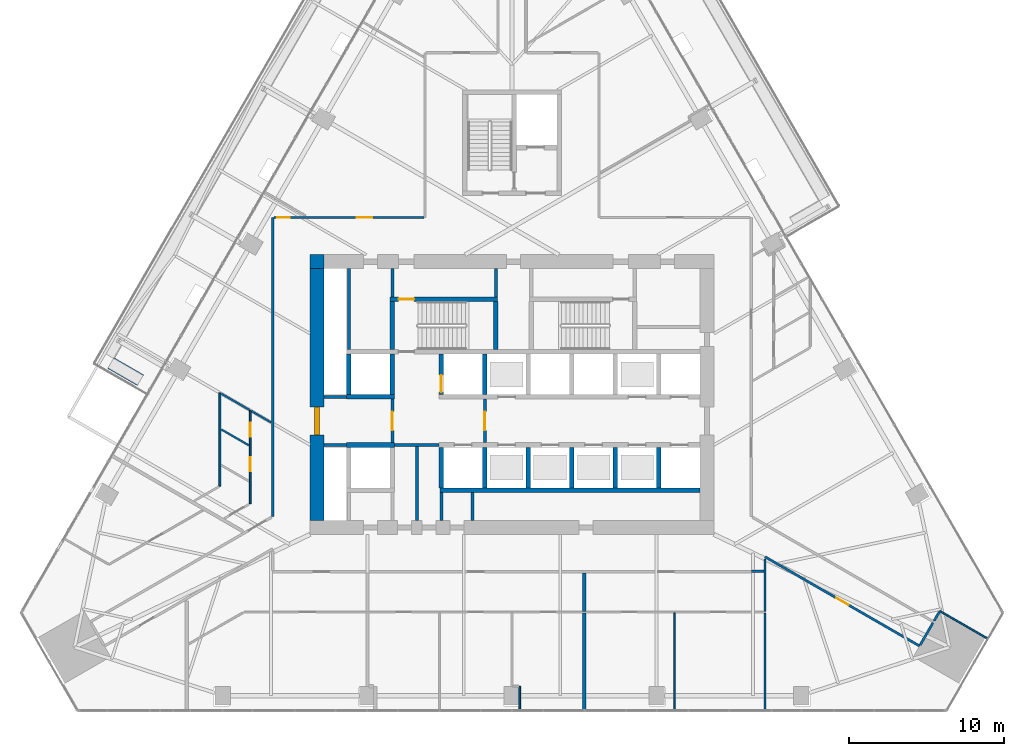
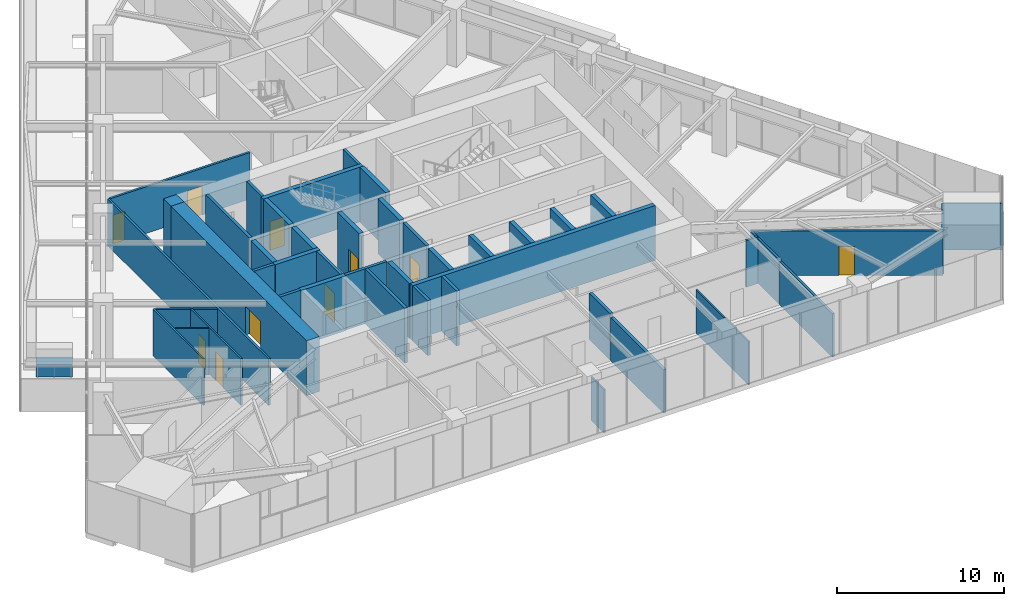
# One storey, part 19 of 26: 48 walls, 10 doors, 10 openings.
"""IFC4 building model written with IfcOpenShell, lengths in metres."""

from ifc_helpers import new_model, si_unit, direction, frame, frame_2d, origin, place, context, subcontext, project, spatial, rectangle, extrude, material, layer, layer_set, type_object, element, fill, save


model = new_model("IFC4")

# Units and contexts
model_context = context("Model", 3, precision=1e-05, world=origin(), true_north=direction((0.0, 1.0)))
body_context = subcontext(model_context, "Body", "Model", "MODEL_VIEW")
ifc_project = project(units=[si_unit("LENGTHUNIT", "METRE"), si_unit("AREAUNIT", "SQUARE_METRE"), si_unit("VOLUMEUNIT", "CUBIC_METRE"), si_unit("PLANEANGLEUNIT", "RADIAN"), si_unit("MASSUNIT", "GRAM", prefix="KILO")], contexts=[model_context])

# Site, building, storey
site_placement = place(None, origin())
site = spatial("IfcSite", under=ifc_project, at=site_placement, CompositionType="ELEMENT")
building_placement = place(site_placement, origin())
building = spatial("IfcBuilding", under=site, at=building_placement, Name="Firuza Gate Tower and Library", CompositionType="ELEMENT")
storey_placement = place(building_placement, frame((0.0, 0.0, 115.60009765625)))
storey = spatial("IfcBuildingStorey", under=building, at=storey_placement, Name="L26", CompositionType="ELEMENT", Elevation=115.60009765625)

# Walls
ifc_material_1 = material(Name="Plasterboard on steel studs", Category="steel")
ifc_layer_1 = layer(ifc_material_1, 0.199951171875)
ifc_layer_set_1 = layer_set([ifc_layer_1], Name="Core partition 200 EI 120")
wall_type_1 = type_object("IfcWallType", Name="Core partition 200 EI 120", PredefinedType="PARTITIONING", material=ifc_layer_set_1)
wall_1_placement = place(storey_placement, frame((62.89990234375, 71.75, 0.0), z_axis=(0.0, 0.0, 1.0), x_axis=(1.0, 0.0, 0.0)))
element("IfcWall", 1, at=wall_1_placement, inside=storey, type_object=wall_type_1, Name="Core partition L26 1", PredefinedType="PARTITIONING", context=body_context, shape_type="SweptSolid", body=[
    extrude(rectangle(XDim=1.4501953125, YDim=0.199951171875, at=frame_2d((0.72509765625, 0.0))), origin(), (0.0, 0.0, 1.0), 4.0),
])
wall_2_placement = place(storey_placement, frame((67.449951171875, 71.75, 0.0), z_axis=(0.0, 0.0, 1.0), x_axis=(1.0, 0.0, 0.0)))
element("IfcWall", 2, at=wall_2_placement, inside=storey, type_object=wall_type_1, Name="Core partition L26 2", PredefinedType="PARTITIONING", context=body_context, shape_type="SweptSolid", body=[
    extrude(rectangle(XDim=2.85009765625, YDim=0.199951171875, at=frame_2d((1.425048828125, 0.0))), origin(), (0.0, 0.0, 1.0), 4.0),
])
wall_3_placement = place(storey_placement, frame((62.89990234375, 74.85009765625, 0.0), z_axis=(0.0, 0.0, 1.0), x_axis=(1.0, 0.0, 0.0)))
element("IfcWall", 3, at=wall_3_placement, inside=storey, type_object=wall_type_1, Name="Core partition L26 3", PredefinedType="PARTITIONING", context=body_context, shape_type="SweptSolid", body=[
    extrude(rectangle(XDim=1.4501953125, YDim=0.199951171875, at=frame_2d((0.72509765625, 0.0))), origin(), (0.0, 0.0, 1.0), 4.0),
])
wall_4_placement = place(storey_placement, frame((64.5, 77.89990234375, 0.0), z_axis=(0.0, 0.0, 1.0), x_axis=(0.0, 1.0, 0.0)))
element("IfcWall", 4, at=wall_4_placement, inside=storey, type_object=wall_type_1, Name="Core partition L26 6", PredefinedType="PARTITIONING", context=body_context, shape_type="SweptSolid", body=[
    extrude(rectangle(XDim=5.2001953125, YDim=0.199951171875, at=frame_2d((2.60009765625, 0.0))), origin(), (0.0, 0.0, 1.0), 4.0),
])
wall_5_placement = place(storey_placement, frame((68.875, 66.89990234375, 0.0), z_axis=(0.0, 0.0, 1.0), x_axis=(0.0, 1.0, 0.0)))
element("IfcWall", 5, at=wall_5_placement, inside=storey, type_object=wall_type_1, Name="Core partition L26 10", PredefinedType="PARTITIONING", context=body_context, shape_type="SweptSolid", body=[
    extrude(rectangle(XDim=4.75, YDim=0.199951171875, at=frame_2d((2.375, 0.0))), origin(), (0.0, 0.0, 1.0), 4.0),
])
for number, where, z_axis, x_axis, name in (
    (6, (70.449951171875, 66.89990234375, 0.0), (0.0, 0.0, 1.0), (0.0, 1.0, 0.0), "Core partition L26 11"),
    (7, (72.447998046875, 66.89990234375, 0.0), (0.0, 0.0, 1.0), (0.0, 1.0, 0.0), "Core partition L26 12"),
):
    element("IfcWall", number, at=place(storey_placement, frame(where, z_axis=z_axis, x_axis=x_axis)), inside=storey, type_object=wall_type_1, Name=name, PredefinedType="PARTITIONING", context=body_context, shape_type="SweptSolid", body=[
        extrude(rectangle(XDim=1.800048828125, YDim=0.199951171875, at=frame_2d((0.89990234375, 0.0))), origin(), (0.0, 0.0, 1.0), 4.0),
    ])

# Wall, opening, door
ifc_material_2 = material(Name="Plasterboard on steel studs", Category="steel")
ifc_layer_2 = layer(ifc_material_2, 0.199951171875)
ifc_layer_set_2 = layer_set([ifc_layer_2], Name="Core partition 200 EI 60")
wall_type_2 = type_object("IfcWallType", Name="Core partition 200 EI 60", PredefinedType="PARTITIONING", material=ifc_layer_set_2)
wall_6_placement = place(storey_placement, frame((67.300048828125, 71.89990234375, 0.0), z_axis=(0.0, 0.0, 1.0), x_axis=(0.0, 1.0, 0.0)))
wall_6 = element("IfcWall", 8, at=wall_6_placement, inside=storey, type_object=wall_type_2, Name="Core partition L26 8", PredefinedType="PARTITIONING", context=body_context, shape_type="SweptSolid", body=[
    extrude(rectangle(XDim=2.800048828125, YDim=0.199951171875, at=frame_2d((1.39990234375, 0.0))), origin(), (0.0, 0.0, 1.0), 4.0),
])
opening_1_placement = place(wall_6_placement, frame((0.800048828125, 0.0, 0.0)))
opening_1 = element("IfcOpeningElement", 9, at=opening_1_placement, cuts=wall_6, Name="Opening L26-K21", PredefinedType="OPENING", context=body_context, shape_type="SweptSolid", body=[
    extrude(rectangle(XDim=1.199951171875, YDim=2.10009765625, at=frame_2d((0.60009765625, 1.050048828125))), frame((0.0, 0.10986328125, 0.0), z_axis=(0.0, -1.0, 0.0), x_axis=(1.0, 0.0, 0.0)), (0.0, 0.0, 1.0), 0.219970703125),
])
ifc_material_3 = material(Name="Steel", Category="steel")
door_type_1 = type_object("IfcDoorType", Name="Fire door 1200x2100 FD90S", OperationType="NOTDEFINED", PredefinedType="DOOR", material=ifc_material_3)
door_1_placement = place(opening_1_placement, origin())
door_1 = element("IfcDoor", 10, at=door_1_placement, inside=storey, type_object=door_type_1, Name="Door L26-K21", OperationType="SINGLE_SWING_RIGHT", OverallHeight=2.10009765625, OverallWidth=1.199951171875, PredefinedType="DOOR", context=body_context, shape_type="SweptSolid", body=[
    extrude(rectangle(XDim=1.199951171875, YDim=2.10009765625, at=frame_2d((0.60009765625, 1.050048828125))), frame((0.0, 0.02490234375, 0.0), z_axis=(0.0, -1.0, 0.0), x_axis=(1.0, 0.0, 0.0)), (0.0, 0.0, 1.0), 0.050048828125),
])
fill(opening_1, door_1)

# Wall
wall_7_placement = place(storey_placement, frame((67.300048828125, 81.280029296875, 0.0), z_axis=(0.0, 0.0, 1.0), x_axis=(0.0, 1.0, 0.0)))
element("IfcWall", 11, at=wall_7_placement, inside=storey, type_object=wall_type_2, Name="Core partition L26 9", PredefinedType="PARTITIONING", context=body_context, shape_type="SweptSolid", body=[
    extrude(rectangle(XDim=1.820068359375, YDim=0.199951171875, at=frame_2d((0.91015625, 0.0))), origin(), (0.0, 0.0, 1.0), 4.0),
])

# Wall, opening, door
wall_8_placement = place(storey_placement, frame((73.25, 71.89990234375, 0.0), z_axis=(0.0, 0.0, 1.0), x_axis=(0.0, 1.0, 0.0)))
wall_8 = element("IfcWall", 12, at=wall_8_placement, inside=storey, type_object=wall_type_2, Name="Core partition L26 13", PredefinedType="PARTITIONING", context=body_context, shape_type="SweptSolid", body=[
    extrude(rectangle(XDim=2.800048828125, YDim=0.199951171875, at=frame_2d((1.39990234375, 0.0))), origin(), (0.0, 0.0, 1.0), 4.0),
])
opening_2_placement = place(wall_8_placement, frame((0.800048828125, 0.0, 0.0)))
opening_2 = element("IfcOpeningElement", 13, at=opening_2_placement, cuts=wall_8, Name="Opening L26-K20", PredefinedType="OPENING", context=body_context, shape_type="SweptSolid", body=[
    extrude(rectangle(XDim=1.199951171875, YDim=2.10009765625, at=frame_2d((0.60009765625, 1.050048828125))), frame((0.0, 0.10986328125, 0.0), z_axis=(0.0, -1.0, 0.0), x_axis=(1.0, 0.0, 0.0)), (0.0, 0.0, 1.0), 0.219970703125),
])
door_2_placement = place(opening_2_placement, origin())
door_2 = element("IfcDoor", 14, at=door_2_placement, inside=storey, type_object=door_type_1, Name="Door L26-K20", OperationType="SINGLE_SWING_LEFT", OverallHeight=2.10009765625, OverallWidth=1.199951171875, PredefinedType="DOOR", context=body_context, shape_type="SweptSolid", body=[
    extrude(rectangle(XDim=1.199951171875, YDim=2.10009765625, at=frame_2d((0.60009765625, 1.050048828125))), frame((0.0, 0.02490234375, 0.0), z_axis=(0.0, -1.0, 0.0), x_axis=(1.0, 0.0, 0.0)), (0.0, 0.0, 1.0), 0.050048828125),
])
fill(opening_2, door_2)

# Walls
wall_9_placement = place(storey_placement, frame((73.9599609375, 81.280029296875, 0.0), z_axis=(0.0, 0.0, 1.0), x_axis=(0.0, 1.0, 0.0)))
element("IfcWall", 15, at=wall_9_placement, inside=storey, type_object=wall_type_2, Name="Core partition L26 14", PredefinedType="PARTITIONING", context=body_context, shape_type="SweptSolid", body=[
    extrude(rectangle(XDim=1.820068359375, YDim=0.199951171875, at=frame_2d((0.91015625, 0.0))), origin(), (0.0, 0.0, 1.0), 4.0),
])
ifc_material_4 = material(Name="Concrete C80/95", Category="concrete")
ifc_layer_3 = layer(ifc_material_4, 0.300048828125)
ifc_layer_set_3 = layer_set([ifc_layer_3], Name="Core wall 300 C80/95")
wall_type_3 = type_object("IfcWallType", Name="Core wall 300 C80/95", PredefinedType="SHEAR", material=ifc_layer_set_3)
wall_10_placement = place(storey_placement, frame((70.35009765625, 68.85009765625, 0.0), z_axis=(0.0, 0.0, 1.0), x_axis=(1.0, 0.0, 0.0)))
element("IfcWall", 16, at=wall_10_placement, inside=storey, type_object=wall_type_3, Name="Core wall L26 6", PredefinedType="SHEAR", context=body_context, shape_type="SweptSolid", body=[
    extrude(rectangle(XDim=16.75, YDim=0.300048828125, at=frame_2d((8.375, 0.0))), origin(), (0.0, 0.0, 1.0), 4.0),
])
for number, where, z_axis, x_axis, name in (
    (17, (64.35009765625, 71.75, 0.0), (0.0, 0.0, 1.0), (1.0, 0.0, 0.0), "Core wall L26 7"),
    (18, (64.35009765625, 74.85009765625, 0.0), (0.0, 0.0, 1.0), (1.0, 0.0, 0.0), "Core wall L26 9"),
):
    element("IfcWall", number, at=place(storey_placement, frame(where, z_axis=z_axis, x_axis=x_axis)), inside=storey, type_object=wall_type_3, Name=name, PredefinedType="SHEAR", context=body_context, shape_type="SweptSolid", body=[
        extrude(rectangle(XDim=3.099853515625, YDim=0.300048828125, at=frame_2d((1.5498046875, 0.0))), origin(), (0.0, 0.0, 1.0), 4.0),
    ])
for number, where, z_axis, x_axis, name in (
    (19, (64.5, 75.0, 0.0), (0.0, 0.0, 1.0), (0.0, 1.0, 0.0), "Core wall L26 12"),
    (20, (67.300048828125, 75.0, 0.0), (0.0, 0.0, 1.0), (0.0, 1.0, 0.0), "Core wall L26 14"),
    (21, (70.449951171875, 69.0, 0.0), (0.0, 0.0, 1.0), (0.0, 1.0, 0.0), "Core wall L26 15"),
):
    element("IfcWall", number, at=place(storey_placement, frame(where, z_axis=z_axis, x_axis=x_axis)), inside=storey, type_object=wall_type_3, Name=name, PredefinedType="SHEAR", context=body_context, shape_type="SweptSolid", body=[
        extrude(rectangle(XDim=2.60009765625, YDim=0.300048828125, at=frame_2d((1.300048828125, 0.0))), origin(), (0.0, 0.0, 1.0), 4.0),
    ])

# Wall, opening, door
wall_11_placement = place(storey_placement, frame((70.449951171875, 75.0, 0.0), z_axis=(0.0, 0.0, 1.0), x_axis=(0.0, 1.0, 0.0)))
wall_11 = element("IfcWall", 22, at=wall_11_placement, inside=storey, type_object=wall_type_3, Name="Core wall L26 16", PredefinedType="SHEAR", context=body_context, shape_type="SweptSolid", body=[
    extrude(rectangle(XDim=2.60009765625, YDim=0.300048828125, at=frame_2d((1.300048828125, 0.0))), origin(), (0.0, 0.0, 1.0), 4.0),
])
opening_3_placement = place(wall_11_placement, frame((0.14990234375, 0.0, 0.0)))
opening_3 = element("IfcOpeningElement", 23, at=opening_3_placement, cuts=wall_11, Name="Opening LD-FF2-L26", PredefinedType="OPENING", context=body_context, shape_type="SweptSolid", body=[
    extrude(rectangle(XDim=1.10009765625, YDim=2.10009765625, at=frame_2d((0.550048828125, 1.050048828125))), frame((0.0, 0.16015625, 0.0), z_axis=(0.0, -1.0, 0.0), x_axis=(1.0, 0.0, 0.0)), (0.0, 0.0, 1.0), 0.320068359375),
])
ifc_material_5 = material(Name="Stainless steel", Category="steel")
door_type_2 = type_object("IfcDoorType", Name="Lift landing door 1100x2100", OperationType="DOUBLE_DOOR_SLIDING", PredefinedType="DOOR", material=ifc_material_5)
door_3_placement = place(opening_3_placement, origin())
door_3 = element("IfcDoor", 24, at=door_3_placement, inside=storey, type_object=door_type_2, Name="Landing door FF2 L26", OperationType="DOUBLE_DOOR_SLIDING", OverallHeight=2.10009765625, OverallWidth=1.10009765625, PredefinedType="DOOR", context=body_context, shape_type="SweptSolid", body=[
    extrude(rectangle(XDim=1.10009765625, YDim=2.10009765625, at=frame_2d((0.550048828125, 1.050048828125))), frame((0.0, 0.02490234375, 0.0), z_axis=(0.0, -1.0, 0.0), x_axis=(1.0, 0.0, 0.0)), (0.0, 0.0, 1.0), 0.050048828125),
])
fill(opening_3, door_3)

# Walls
for number, where, z_axis, x_axis, name in (
    (25, (73.25, 69.0, 0.0), (0.0, 0.0, 1.0), (0.0, 1.0, 0.0), "Core wall L26 17"),
    (26, (73.25, 75.0, 0.0), (0.0, 0.0, 1.0), (0.0, 1.0, 0.0), "Core wall L26 18"),
    (27, (76.050048828125, 69.0, 0.0), (0.0, 0.0, 1.0), (0.0, 1.0, 0.0), "Core wall L26 19"),
    (28, (78.85009765625, 69.0, 0.0), (0.0, 0.0, 1.0), (0.0, 1.0, 0.0), "Core wall L26 21"),
    (29, (81.64990234375, 69.0, 0.0), (0.0, 0.0, 1.0), (0.0, 1.0, 0.0), "Core wall L26 23"),
    (30, (84.449951171875, 69.0, 0.0), (0.0, 0.0, 1.0), (0.0, 1.0, 0.0), "Core wall L26 25"),
):
    element("IfcWall", number, at=place(storey_placement, frame(where, z_axis=z_axis, x_axis=x_axis)), inside=storey, type_object=wall_type_3, Name=name, PredefinedType="SHEAR", context=body_context, shape_type="SweptSolid", body=[
        extrude(rectangle(XDim=2.60009765625, YDim=0.300048828125, at=frame_2d((1.300048828125, 0.0))), origin(), (0.0, 0.0, 1.0), 4.0),
    ])

# Wall, opening, door
wall_12_placement = place(storey_placement, frame((67.14990234375, 81.1298828125, 0.0), z_axis=(0.0, 0.0, 1.0), x_axis=(1.0, 0.0, 0.0)))
wall_12 = element("IfcWall", 31, at=wall_12_placement, inside=storey, type_object=wall_type_3, Name="Core wall L26 28", PredefinedType="SHEAR", context=body_context, shape_type="SweptSolid", body=[
    extrude(rectangle(XDim=6.91015625, YDim=0.300048828125, at=frame_2d((3.455078125, 0.0))), origin(), (0.0, 0.0, 1.0), 4.0),
])
opening_4_placement = place(wall_12_placement, frame((0.544921875, 0.0, 0.0)))
opening_4 = element("IfcOpeningElement", 32, at=opening_4_placement, cuts=wall_12, Name="Opening L26-K13", PredefinedType="OPENING", context=body_context, shape_type="SweptSolid", body=[
    extrude(rectangle(XDim=1.0, YDim=2.10009765625, at=frame_2d((0.5, 1.050048828125))), frame((0.0, 0.16015625, 0.0), z_axis=(0.0, -1.0, 0.0), x_axis=(1.0, 0.0, 0.0)), (0.0, 0.0, 1.0), 0.320068359375),
])
ifc_material_6 = material(Name="Steel", Category="steel")
door_type_3 = type_object("IfcDoorType", Name="Fire door 1000x2100 FD90", OperationType="NOTDEFINED", PredefinedType="DOOR", material=ifc_material_6)
door_4_placement = place(opening_4_placement, origin())
door_4 = element("IfcDoor", 33, at=door_4_placement, inside=storey, type_object=door_type_3, Name="Door L26-K13", OperationType="SINGLE_SWING_RIGHT", OverallHeight=2.10009765625, OverallWidth=1.0, PredefinedType="DOOR", context=body_context, shape_type="SweptSolid", body=[
    extrude(rectangle(XDim=1.0, YDim=2.10009765625, at=frame_2d((0.5, 1.050048828125))), frame((0.0, 0.02490234375, 0.0), z_axis=(0.0, -1.0, 0.0), x_axis=(1.0, 0.0, 0.0)), (0.0, 0.0, 1.0), 0.050048828125),
])
fill(opening_4, door_4)

# Walls
for number, where, z_axis, x_axis, name in (
    (34, (67.300048828125, 77.89990234375, 0.0), (0.0, 0.0, 1.0), (0.0, 1.0, 0.0), "Core wall L26 30"),
    (35, (73.9599609375, 77.89990234375, 0.0), (0.0, 0.0, 1.0), (0.0, 1.0, 0.0), "Core wall L26 31"),
):
    element("IfcWall", number, at=place(storey_placement, frame(where, z_axis=z_axis, x_axis=x_axis)), inside=storey, type_object=wall_type_3, Name=name, PredefinedType="SHEAR", context=body_context, shape_type="SweptSolid", body=[
        extrude(rectangle(XDim=3.080078125, YDim=0.300048828125, at=frame_2d((1.5400390625, 0.0))), origin(), (0.0, 0.0, 1.0), 4.0),
    ])

# Wall, opening, door
ifc_material_7 = material(Name="Concrete C80/95", Category="concrete")
ifc_layer_4 = layer(ifc_material_7, 0.89990234375)
ifc_layer_set_4 = layer_set([ifc_layer_4], Name="Core wall 900 C80/95")
wall_type_4 = type_object("IfcWallType", Name="Core wall 900 C80/95", PredefinedType="SHEAR", material=ifc_layer_set_4)
wall_13_placement = place(storey_placement, frame((62.449951171875, 66.89990234375, 0.0), z_axis=(0.0, 0.0, 1.0), x_axis=(0.0, 1.0, 0.0)))
wall_13 = element("IfcWall", 36, at=wall_13_placement, inside=storey, type_object=wall_type_4, Name="Core wall L26 3", PredefinedType="SHEAR", context=body_context, shape_type="SweptSolid", body=[
    extrude(rectangle(XDim=16.2001953125, YDim=0.89990234375, at=frame_2d((8.10009765625, 0.0))), origin(), (0.0, 0.0, 1.0), 4.0),
])
opening_5_placement = place(wall_13_placement, frame((5.5, 0.0, 0.0)))
opening_5 = element("IfcOpeningElement", 37, at=opening_5_placement, cuts=wall_13, Name="Opening L26-K22", PredefinedType="OPENING", context=body_context, shape_type="SweptSolid", body=[
    extrude(rectangle(XDim=1.800048828125, YDim=2.10009765625, at=frame_2d((0.89990234375, 1.050048828125))), frame((0.0, 0.4599609375, 0.0), z_axis=(0.0, -1.0, 0.0), x_axis=(1.0, 0.0, 0.0)), (0.0, 0.0, 1.0), 0.919921875),
])
ifc_material_8 = material(Name="Steel", Category="steel")
door_type_4 = type_object("IfcDoorType", Name="Fire door 1800x2100 FD30S", OperationType="NOTDEFINED", PredefinedType="DOOR", material=ifc_material_8)
door_5_placement = place(opening_5_placement, origin())
door_5 = element("IfcDoor", 38, at=door_5_placement, inside=storey, type_object=door_type_4, Name="Door L26-K22", OperationType="SINGLE_SWING_LEFT", OverallHeight=2.10009765625, OverallWidth=1.800048828125, PredefinedType="DOOR", context=body_context, shape_type="SweptSolid", body=[
    extrude(rectangle(XDim=1.800048828125, YDim=2.10009765625, at=frame_2d((0.89990234375, 1.050048828125))), frame((0.0, 0.169921875, 0.0), z_axis=(0.0, -1.0, 0.0), x_axis=(1.0, 0.0, 0.0)), (0.0, 0.0, 1.0), 0.33984375),
])
fill(opening_5, door_5)

# Walls
wall_14_placement = place(storey_placement, frame((62.0, 83.550048828125, 0.0), z_axis=(0.0, 0.0, 1.0), x_axis=(1.0, 0.0, 0.0)))
element("IfcWall", 39, at=wall_14_placement, inside=storey, type_object=wall_type_4, Name="Core wall L26 40", PredefinedType="SHEAR", context=body_context, shape_type="SweptSolid", body=[
    extrude(rectangle(XDim=0.89990234375, YDim=0.89990234375, at=frame_2d((0.449951171875, 0.0))), origin(), (0.0, 0.0, 1.0), 4.0),
])
ifc_material_9 = material(Name="Gypsum board partition")
ifc_layer_5 = layer(ifc_material_9, 0.14990234375)
ifc_layer_set_5 = layer_set([ifc_layer_5], Name="Corridor wall 150 double board on steel studs")
wall_type_5 = type_object("IfcWallType", Name="Corridor wall 150 double board on steel studs", PredefinedType="PARTITIONING", material=ifc_layer_set_5)
wall_15_placement = place(storey_placement, frame((90.39990234375, 63.618896484375, 0.0), z_axis=(0.0, 0.0, 1.0), x_axis=(1.0, 0.0, 0.0)))
element("IfcWall", 40, at=wall_15_placement, inside=storey, type_object=wall_type_5, Name="f:L26:w004", PredefinedType="PARTITIONING", context=body_context, shape_type="SweptSolid", body=[
    extrude(rectangle(XDim=0.808837890625, YDim=0.14990234375, at=frame_2d((0.404296875, 0.0))), origin(), (0.0, 0.0, 1.0), 3.39990234375),
])

# Wall, openings, doors
wall_16_placement = place(storey_placement, frame((59.675537109375, 86.39990234375, 0.0), z_axis=(0.0, 0.0, 1.0), x_axis=(1.0, 0.0, 0.0)))
wall_16 = element("IfcWall", 41, at=wall_16_placement, inside=storey, type_object=wall_type_5, Name="f:L26:w005", PredefinedType="PARTITIONING", context=body_context, shape_type="SweptSolid", body=[
    extrude(rectangle(XDim=9.6494140625, YDim=0.14990234375, at=frame_2d((4.82470703125, 0.0))), origin(), (0.0, 0.0, 1.0), 3.39990234375),
])
opening_6_placement = place(wall_16_placement, frame((0.222900390625, 0.0, 0.0)))
opening_6 = element("IfcOpeningElement", 42, at=opening_6_placement, cuts=wall_16, Name="Opening L26-10", PredefinedType="OPENING", context=body_context, shape_type="SweptSolid", body=[
    extrude(rectangle(XDim=0.800048828125, YDim=2.10009765625, at=frame_2d((0.39990234375, 1.050048828125))), frame((0.0, 0.0849609375, 0.0), z_axis=(0.0, -1.0, 0.0), x_axis=(1.0, 0.0, 0.0)), (0.0, 0.0, 1.0), 0.169921875),
])
opening_7_placement = place(wall_16_placement, frame((5.343017578125, 0.0, 0.0)))
opening_7 = element("IfcOpeningElement", 43, at=opening_7_placement, cuts=wall_16, Name="Opening L26-11", PredefinedType="OPENING", context=body_context, shape_type="SweptSolid", body=[
    extrude(rectangle(XDim=1.0, YDim=2.10009765625, at=frame_2d((0.5, 1.050048828125))), frame((0.0, 0.0849609375, 0.0), z_axis=(0.0, -1.0, 0.0), x_axis=(1.0, 0.0, 0.0)), (0.0, 0.0, 1.0), 0.169921875),
])
ifc_material_10 = material(Name="Timber door", Category="wood")
door_type_5 = type_object("IfcDoorType", Name="Door 800 x 2100 timber leaf", OperationType="NOTDEFINED", PredefinedType="DOOR", material=ifc_material_10)
door_6_placement = place(opening_6_placement, origin())
door_6 = element("IfcDoor", 44, at=door_6_placement, inside=storey, type_object=door_type_5, Name="f:L26:d010", OperationType="SINGLE_SWING_LEFT", OverallHeight=2.10009765625, OverallWidth=0.800048828125, PredefinedType="DOOR", context=body_context, shape_type="SweptSolid", body=[
    extrude(rectangle(XDim=0.800048828125, YDim=2.10009765625, at=frame_2d((0.39990234375, 1.050048828125))), frame((0.0, 0.02490234375, 0.0), z_axis=(0.0, -1.0, 0.0), x_axis=(1.0, 0.0, 0.0)), (0.0, 0.0, 1.0), 0.050048828125),
])
fill(opening_6, door_6)
ifc_material_11 = material(Name="Steel door and timber leaf", Category="steel")
door_type_6 = type_object("IfcDoorType", Name="Fire door 1000 x 2100 steel frame, timber leaf", OperationType="NOTDEFINED", PredefinedType="DOOR", material=ifc_material_11)
door_7_placement = place(opening_7_placement, origin())
door_7 = element("IfcDoor", 45, at=door_7_placement, inside=storey, type_object=door_type_6, Name="f:L26:d011", OperationType="SINGLE_SWING_RIGHT", OverallHeight=2.10009765625, OverallWidth=1.0, PredefinedType="DOOR", context=body_context, shape_type="SweptSolid", body=[
    extrude(rectangle(XDim=1.0, YDim=2.10009765625, at=frame_2d((0.5, 1.050048828125))), frame((0.0, 0.02490234375, 0.0), z_axis=(0.0, -1.0, 0.0), x_axis=(1.0, 0.0, 0.0)), (0.0, 0.0, 1.0), 0.050048828125),
])
fill(opening_7, door_7)

# Walls
wall_17_placement = place(storey_placement, frame((101.271728515625, 58.8798828125, 0.0), z_axis=(0.0, 0.0, 1.0), x_axis=(0.500038426333, 0.866003217194, 0.0)))
element("IfcWall", 46, at=wall_17_placement, inside=storey, type_object=wall_type_5, Name="f:L26:w025", PredefinedType="PARTITIONING", context=body_context, shape_type="SweptSolid", body=[
    extrude(rectangle(XDim=1.649658203125, YDim=0.14990234375, at=frame_2d((0.82470703125, 0.0))), origin(), (0.0, 0.0, 1.0), 3.246826171875),
])
wall_18_placement = place(storey_placement, frame((91.283935546875, 54.666259765625, 0.0), z_axis=(0.0, 0.0, 1.0), x_axis=(0.0, 1.0, 0.0)))
element("IfcWall", 47, at=wall_18_placement, inside=storey, type_object=wall_type_5, Name="f:L26:w028", PredefinedType="PARTITIONING", context=body_context, shape_type="SweptSolid", body=[
    extrude(rectangle(XDim=6.28369140625, YDim=0.14990234375, at=frame_2d((3.141845703125, 0.0))), origin(), (0.0, 0.0, 1.0), 3.164794921875),
])
wall_19_placement = place(storey_placement, frame((59.60009765625, 67.14794921875, 0.0), z_axis=(0.0, 0.0, 1.0), x_axis=(0.0, 1.0, 0.0)))
element("IfcWall", 48, at=wall_19_placement, inside=storey, type_object=wall_type_5, Name="f:L26:w043", PredefinedType="PARTITIONING", context=body_context, shape_type="SweptSolid", body=[
    extrude(rectangle(XDim=19.25146484375, YDim=0.14990234375, at=frame_2d((9.625732421875, 0.0))), origin(), (0.0, 0.0, 1.0), 3.39990234375),
])

# Wall, opening, door
wall_20_placement = place(storey_placement, frame((101.233642578125, 58.81494140625, 0.0), z_axis=(0.0, 0.0, 1.0), x_axis=(-0.866028466704, 0.49999469483, 0.0)))
wall_20 = element("IfcWall", 49, at=wall_20_placement, inside=storey, type_object=wall_type_5, Name="f:L26:w055", PredefinedType="PARTITIONING", context=body_context, shape_type="SweptSolid", body=[
    extrude(rectangle(XDim=11.48876953125, YDim=0.14990234375, at=frame_2d((5.744384765625, 0.0))), origin(), (0.0, 0.0, 1.0), 3.246826171875),
])
opening_8_placement = place(wall_20_placement, frame((5.29443359375, 0.0, 0.0)))
opening_8 = element("IfcOpeningElement", 50, at=opening_8_placement, cuts=wall_20, Name="Opening L26-27", PredefinedType="OPENING", context=body_context, shape_type="SweptSolid", body=[
    extrude(rectangle(XDim=0.89990234375, YDim=2.10009765625, at=frame_2d((0.449951171875, 1.050048828125))), frame((0.0, 0.0849609375, 0.0), z_axis=(0.0, -1.0, 0.0), x_axis=(1.0, 0.0, 0.0)), (0.0, 0.0, 1.0), 0.169921875),
])
ifc_material_12 = material(Name="Steel door and timber leaf", Category="steel")
door_type_7 = type_object("IfcDoorType", Name="Fire door 900 x 2100 steel frame, timber leaf", OperationType="NOTDEFINED", PredefinedType="DOOR", material=ifc_material_12)
door_8_placement = place(opening_8_placement, origin())
door_8 = element("IfcDoor", 51, at=door_8_placement, inside=storey, type_object=door_type_7, Name="f:L26:d027", OperationType="SINGLE_SWING_RIGHT", OverallHeight=2.10009765625, OverallWidth=0.89990234375, PredefinedType="DOOR", context=body_context, shape_type="SweptSolid", body=[
    extrude(rectangle(XDim=0.89990234375, YDim=2.10009765625, at=frame_2d((0.449951171875, 1.050048828125))), frame((0.0, 0.02490234375, 0.0), z_axis=(0.0, -1.0, 0.0), x_axis=(1.0, 0.0, 0.0)), (0.0, 0.0, 1.0), 0.050048828125),
])
fill(opening_8, door_8)

# Walls
wall_21_placement = place(storey_placement, frame((91.283935546875, 61.050048828125, 0.0), z_axis=(0.0, 0.0, 1.0), x_axis=(0.0, 1.0, 0.0)))
element("IfcWall", 52, at=wall_21_placement, inside=storey, type_object=wall_type_5, Name="f:L26:w061", PredefinedType="PARTITIONING", context=body_context, shape_type="SweptSolid", body=[
    extrude(rectangle(XDim=3.37255859375, YDim=0.14990234375, at=frame_2d((1.686279296875, 0.0))), origin(), (0.0, 0.0, 1.0), 3.246826171875),
])
wall_22_placement = place(storey_placement, frame((102.171630859375, 60.4384765625, 0.0), z_axis=(0.0, 0.0, 1.0), x_axis=(0.499994068514, 0.866028828302, 0.0)))
element("IfcWall", 53, at=wall_22_placement, inside=storey, type_object=wall_type_5, Name="f:L26:w065", PredefinedType="PARTITIONING", context=body_context, shape_type="SweptSolid", body=[
    extrude(rectangle(XDim=0.67431640625, YDim=0.14990234375, at=frame_2d((0.337158203125, 0.0))), origin(), (0.0, 0.0, 1.0), 3.39990234375),
])
ifc_material_13 = material(Name="Gypsum board partition")
ifc_layer_6 = layer(ifc_material_13, 0.199951171875)
ifc_layer_set_6 = layer_set([ifc_layer_6], Name="Demising wall 200 acoustic double stud")
wall_type_6 = type_object("IfcWallType", Name="Demising wall 200 acoustic double stud", PredefinedType="PARTITIONING", material=ifc_layer_set_6)
wall_23_placement = place(storey_placement, frame((79.653076171875, 54.666259765625, 0.0), z_axis=(0.0, 0.0, 1.0), x_axis=(0.0, 1.0, 0.0)))
element("IfcWall", 54, at=wall_23_placement, inside=storey, type_object=wall_type_6, Name="f:L26:w032", PredefinedType="PARTITIONING", context=body_context, shape_type="SweptSolid", body=[
    extrude(rectangle(XDim=6.28369140625, YDim=0.199951171875, at=frame_2d((3.141845703125, 0.0))), origin(), (0.0, 0.0, 1.0), 3.164794921875),
])
wall_24_placement = place(storey_placement, frame((79.653076171875, 61.050048828125, 0.0), z_axis=(0.0, 0.0, 1.0), x_axis=(0.0, 1.0, 0.0)))
element("IfcWall", 55, at=wall_24_placement, inside=storey, type_object=wall_type_6, Name="f:L26:w067", PredefinedType="PARTITIONING", context=body_context, shape_type="SweptSolid", body=[
    extrude(rectangle(XDim=2.474853515625, YDim=0.199951171875, at=frame_2d((1.2373046875, 0.0))), origin(), (0.0, 0.0, 1.0), 3.39990234375),
])
ifc_material_14 = material(Name="Gypsum board partition")
ifc_layer_7 = layer(ifc_material_14, 0.10009765625)
ifc_layer_set_7 = layer_set([ifc_layer_7], Name="Partition 100 gypsum board on steel studs")
wall_type_7 = type_object("IfcWallType", Name="Partition 100 gypsum board on steel studs", PredefinedType="PARTITIONING", material=ifc_layer_set_7)
wall_25_placement = place(storey_placement, frame((85.468017578125, 54.666259765625, 0.0), z_axis=(0.0, 0.0, 1.0), x_axis=(0.0, 1.0, 0.0)))
element("IfcWall", 56, at=wall_25_placement, inside=storey, type_object=wall_type_7, Name="f:L26:w030", PredefinedType="PARTITIONING", context=body_context, shape_type="SweptSolid", body=[
    extrude(rectangle(XDim=6.28369140625, YDim=0.10009765625, at=frame_2d((3.141845703125, 0.0))), origin(), (0.0, 0.0, 1.0), 3.164794921875),
])
wall_26_placement = place(storey_placement, frame((75.5, 54.666259765625, 0.0), z_axis=(0.0, 0.0, 1.0), x_axis=(0.0, 1.0, 0.0)))
element("IfcWall", 57, at=wall_26_placement, inside=storey, type_object=wall_type_7, Name="f:L26:w035", PredefinedType="PARTITIONING", context=body_context, shape_type="SweptSolid", body=[
    extrude(rectangle(XDim=1.56005859375, YDim=0.10009765625, at=frame_2d((0.780029296875, 0.0))), origin(), (0.0, 0.0, 1.0), 3.164794921875),
])
wall_27_placement = place(storey_placement, frame((105.6171875, 59.286376953125, 0.0), z_axis=(0.0, 0.0, 1.0), x_axis=(-0.866043951586, 0.49996787289, 0.0)))
element("IfcWall", 58, at=wall_27_placement, inside=storey, type_object=wall_type_7, Name="f:L26:w053", PredefinedType="PARTITIONING", context=body_context, shape_type="SweptSolid", body=[
    extrude(rectangle(XDim=3.559326171875, YDim=0.10009765625, at=frame_2d((1.77978515625, 0.0))), origin(), (0.0, 0.0, 1.0), 3.39990234375),
])
ifc_material_15 = material(Name="Concrete C40/50", Category="concrete")
ifc_layer_8 = layer(ifc_material_15, 0.800048828125)
ifc_layer_set_8 = layer_set([ifc_layer_8], Name="Planter wall 800")
wall_type_8 = type_object("IfcWallType", Name="Planter wall 800", PredefinedType="SOLIDWALL", material=ifc_layer_set_8)
wall_28_placement = place(storey_placement, frame((49.18017578125, 77.0263671875, 0.0), z_axis=(0.0, 0.0, 1.0), x_axis=(0.866008176907, -0.50002983664, 0.0)))
element("IfcWall", 59, at=wall_28_placement, inside=storey, type_object=wall_type_8, Name="PLANTER L26 5", PredefinedType="SOLIDWALL", context=body_context, shape_type="SweptSolid", body=[
    extrude(rectangle(XDim=2.199951171875, YDim=0.800048828125, at=frame_2d((1.10009765625, 0.0))), origin(), (0.0, 0.0, 1.0), 0.89990234375),
])

# Wall, openings, doors
ifc_material_16 = material(Name="Gypsum board partition")
ifc_layer_9 = layer(ifc_material_16, 0.1201171875)
ifc_layer_set_9 = layer_set([ifc_layer_9], Name="Wet-area partition 120 moisture-resistant board")
wall_type_9 = type_object("IfcWallType", Name="Wet-area partition 120 moisture-resistant board", PredefinedType="PARTITIONING", material=ifc_layer_set_9)
wall_29_placement = place(storey_placement, frame((58.14990234375, 73.98388671875, 0.0), z_axis=(0.0, 0.0, 1.0), x_axis=(0.0, -1.0, 0.0)))
wall_29 = element("IfcWall", 60, at=wall_29_placement, inside=storey, type_object=wall_type_9, Name="f:L26:w044", PredefinedType="PARTITIONING", context=body_context, shape_type="SweptSolid", body=[
    extrude(rectangle(XDim=5.998779296875, YDim=0.1201171875, at=frame_2d((2.99951171875, 0.0))), origin(), (0.0, 0.0, 1.0), 3.39990234375),
])
opening_9_placement = place(wall_29_placement, frame((0.802734375, 0.0, 0.0)))
opening_9 = element("IfcOpeningElement", 61, at=opening_9_placement, cuts=wall_29, Name="Opening L26-25", PredefinedType="OPENING", context=body_context, shape_type="SweptSolid", body=[
    extrude(rectangle(XDim=0.89990234375, YDim=2.10009765625, at=frame_2d((0.449951171875, 1.050048828125))), frame((0.0, 0.070068359375, 0.0), z_axis=(0.0, -1.0, 0.0), x_axis=(1.0, 0.0, 0.0)), (0.0, 0.0, 1.0), 0.14013671875),
])
opening_10_placement = place(wall_29_placement, frame((3.00341796875, 0.0, 0.0)))
opening_10 = element("IfcOpeningElement", 62, at=opening_10_placement, cuts=wall_29, Name="Opening L26-26", PredefinedType="OPENING", context=body_context, shape_type="SweptSolid", body=[
    extrude(rectangle(XDim=0.89990234375, YDim=2.10009765625, at=frame_2d((0.449951171875, 1.050048828125))), frame((0.0, 0.070068359375, 0.0), z_axis=(0.0, -1.0, 0.0), x_axis=(1.0, 0.0, 0.0)), (0.0, 0.0, 1.0), 0.14013671875),
])
ifc_material_17 = material(Name="Timber door", Category="wood")
door_type_8 = type_object("IfcDoorType", Name="Door 900 x 2100 timber leaf", OperationType="NOTDEFINED", PredefinedType="DOOR", material=ifc_material_17)
door_9_placement = place(opening_9_placement, origin())
door_9 = element("IfcDoor", 63, at=door_9_placement, inside=storey, type_object=door_type_8, Name="f:L26:d025", OperationType="SINGLE_SWING_RIGHT", OverallHeight=2.10009765625, OverallWidth=0.89990234375, PredefinedType="DOOR", context=body_context, shape_type="SweptSolid", body=[
    extrude(rectangle(XDim=0.89990234375, YDim=2.10009765625, at=frame_2d((0.449951171875, 1.050048828125))), frame((0.0, 0.02490234375, 0.0), z_axis=(0.0, -1.0, 0.0), x_axis=(1.0, 0.0, 0.0)), (0.0, 0.0, 1.0), 0.050048828125),
])
fill(opening_9, door_9)
door_10_placement = place(opening_10_placement, origin())
door_10 = element("IfcDoor", 64, at=door_10_placement, inside=storey, type_object=door_type_8, Name="f:L26:d026", OperationType="SINGLE_SWING_LEFT", OverallHeight=2.10009765625, OverallWidth=0.89990234375, PredefinedType="DOOR", context=body_context, shape_type="SweptSolid", body=[
    extrude(rectangle(XDim=0.89990234375, YDim=2.10009765625, at=frame_2d((0.449951171875, 1.050048828125))), frame((0.0, 0.02490234375, 0.0), z_axis=(0.0, -1.0, 0.0), x_axis=(1.0, 0.0, 0.0)), (0.0, 0.0, 1.0), 0.050048828125),
])
fill(opening_10, door_10)

# Walls
wall_30_placement = place(storey_placement, frame((56.199951171875, 69.111083984375, 0.0), z_axis=(0.0, 0.0, 1.0), x_axis=(0.0, 1.0, 0.0)))
element("IfcWall", 65, at=wall_30_placement, inside=storey, type_object=wall_type_9, Name="f:L26:w045", PredefinedType="PARTITIONING", context=body_context, shape_type="SweptSolid", body=[
    extrude(rectangle(XDim=5.99853515625, YDim=0.1201171875, at=frame_2d((2.999267578125, 0.0))), origin(), (0.0, 0.0, 1.0), 3.39990234375),
])
wall_31_placement = place(storey_placement, frame((59.490478515625, 73.2099609375, 0.0), z_axis=(0.0, 0.0, 1.0), x_axis=(-0.86596595808, 0.500102948848, 0.0)))
element("IfcWall", 66, at=wall_31_placement, inside=storey, type_object=wall_type_9, Name="f:L26:w056", PredefinedType="PARTITIONING", context=body_context, shape_type="SweptSolid", body=[
    extrude(rectangle(XDim=1.444091796875, YDim=0.1201171875, at=frame_2d((0.72216796875, 0.0))), origin(), (0.0, 0.0, 1.0), 3.39990234375),
])
wall_32_placement = place(storey_placement, frame((58.055419921875, 71.736083984375, 0.0), z_axis=(0.0, 0.0, 1.0), x_axis=(-0.866017611601, 0.500013496215, 0.0)))
element("IfcWall", 67, at=wall_32_placement, inside=storey, type_object=wall_type_9, Name="f:L26:w057", PredefinedType="PARTITIONING", context=body_context, shape_type="SweptSolid", body=[
    extrude(rectangle(XDim=2.033203125, YDim=0.1201171875, at=frame_2d((1.0166015625, 0.0))), origin(), (0.0, 0.0, 1.0), 3.39990234375),
])
wall_33_placement = place(storey_placement, frame((58.10498046875, 74.010009765625, 0.0), z_axis=(0.0, 0.0, 1.0), x_axis=(-0.866028046028, 0.499995423472, 0.0)))
element("IfcWall", 68, at=wall_33_placement, inside=storey, type_object=wall_type_9, Name="f:L26:w066", PredefinedType="PARTITIONING", context=body_context, shape_type="SweptSolid", body=[
    extrude(rectangle(XDim=2.09033203125, YDim=0.1201171875, at=frame_2d((1.045166015625, 0.0))), origin(), (0.0, 0.0, 1.0), 3.39990234375),
])

save(model, "model.ifc")
